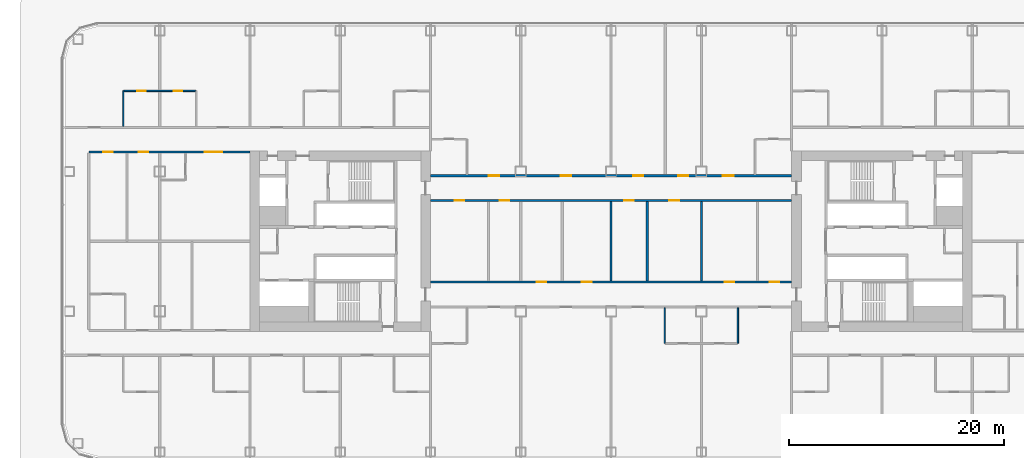
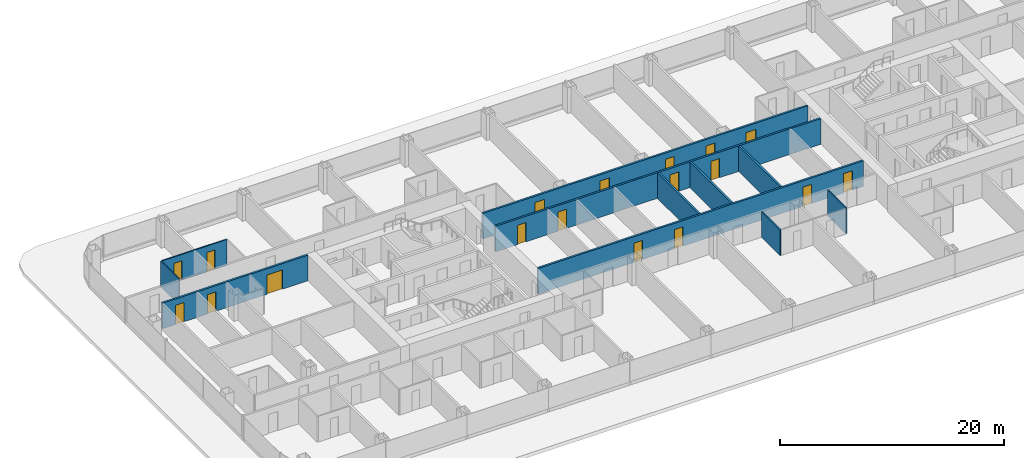
# One storey, part 23 of 42: 18 doors, 11 walls, 18 openings.
"""IFC4 building model written with IfcOpenShell, lengths in metres."""

import ifcopenshell
import ifcopenshell.guid

model = None  # the IFC model being written
_history = None  # IfcOwnerHistory: only IFC2X3 demands one
_inside = {}  # id of a spatial element -> (the spatial element, [elements in it])
_under = {}  # id of a project, library or spatial element -> (it, [spatial elements below it])
_declared = {}  # id of a project -> (the project, [libraries it declares])
_typed = {}  # id of a type object -> (the type object, [elements of that type])
_made_of = {}  # id of a material, layer set ... -> (it, [elements and type objects made of it])


def new_model(schema):
    """Start an empty IFC model of exactly this schema.

    Asked for "IFC4X3", IfcOpenShell would pick the latest addendum, in which some entities
    have other attributes; the version numbers below select the first issue.
    IFC2X3 requires an IfcOwnerHistory on every rooted entity: one is made here for all.
    """
    global model, _history
    if schema == "IFC4X3":
        model = ifcopenshell.file(schema_version=(4, 3, 0, 0))
    else:
        model = ifcopenshell.file(schema=schema)
    _inside.clear()
    _under.clear()
    _declared.clear()
    _typed.clear()
    _made_of.clear()
    _history = None
    if model.schema == "IFC2X3":
        org = make("IfcOrganization", Name="unknown")
        user = make(
            "IfcPersonAndOrganization",
            ThePerson=make("IfcPerson", FamilyName="unknown"),
            TheOrganization=org,
        )
        app = make(
            "IfcApplication",
            ApplicationDeveloper=org,
            Version="unknown",
            ApplicationFullName="unknown",
            ApplicationIdentifier="unknown",
        )
        _history = make(
            "IfcOwnerHistory",
            OwningUser=user,
            OwningApplication=app,
            ChangeAction="ADDED",
            CreationDate=0,
        )
    return model


def make(cls, **values):
    """One entity of the class cls with the attributes given. An attribute that is None is left unset."""
    return model.create_entity(
        cls, **{name: value for name, value in values.items() if value is not None}
    )


def rooted(cls, **values):
    """An entity with a GlobalId (a new one), such as an element, a storey or a relation."""
    return make(cls, GlobalId=ifcopenshell.guid.new(), OwnerHistory=_history, **values)


def si_unit(unit_type, name, prefix=None):
    """IfcSIUnit, for example si_unit("LENGTHUNIT", "METRE", prefix="MILLI")."""
    return make("IfcSIUnit", UnitType=unit_type, Prefix=prefix, Name=name)


def assignment(units):
    """IfcUnitAssignment: the units of a project."""
    return None if units is None else make("IfcUnitAssignment", Units=units)


def point(xyz):
    """IfcCartesianPoint."""
    return None if xyz is None else make("IfcCartesianPoint", Coordinates=xyz)


def direction(xyz):
    """IfcDirection."""
    return None if xyz is None else make("IfcDirection", DirectionRatios=xyz)


def frame(location, z_axis=None, x_axis=None):
    """IfcAxis2Placement3D, a coordinate frame: its origin and axes. An axis left out is left unset."""
    return make(
        "IfcAxis2Placement3D",
        Location=point(location),
        Axis=direction(z_axis),
        RefDirection=direction(x_axis),
    )


def frame_2d(location, x_axis=None):
    """IfcAxis2Placement2D, a coordinate frame in the plane: its origin and x axis."""
    return make(
        "IfcAxis2Placement2D", Location=point(location), RefDirection=direction(x_axis)
    )


def origin():
    """The frame at (0, 0, 0) with its axes left unset."""
    return frame((0.0, 0.0, 0.0))


def place(relative_to, where):
    """IfcLocalPlacement: puts the frame where relative to a parent placement (None: the world)."""
    return make(
        "IfcLocalPlacement", PlacementRelTo=relative_to, RelativePlacement=where
    )


def context(
    kind, dimensions, precision=None, world=None, true_north=None, identifier=None
):
    """IfcGeometricRepresentationContext, for example the 3D "Model" context."""
    return make(
        "IfcGeometricRepresentationContext",
        ContextIdentifier=identifier,
        ContextType=kind,
        CoordinateSpaceDimension=dimensions,
        Precision=precision,
        WorldCoordinateSystem=world,
        TrueNorth=true_north,
    )


def subcontext(parent, identifier, kind, view, scale=None):
    """IfcGeometricRepresentationSubContext, for example "Body" below "Model"."""
    return make(
        "IfcGeometricRepresentationSubContext",
        ContextIdentifier=identifier,
        ContextType=kind,
        ParentContext=parent,
        TargetScale=scale,
        TargetView=view,
    )


def project(units=None, contexts=None):
    """IfcProject with its units and contexts."""
    return rooted(
        "IfcProject",
        Name="project",
        RepresentationContexts=contexts,
        UnitsInContext=assignment(units),
    )


def spatial(cls, under=None, at=None, **own):
    """A site, building, storey or space (cls), placed at a placement, below another one or the project."""
    s = rooted(cls, ObjectPlacement=at, **own)
    if under is not None:
        _under.setdefault(under.id(), (under, []))[1].append(s)
    return s


def profile(cls, at=None, kind="AREA", **sizes):
    """A parametric profile (cls). Its sizes go by their IFC names, for example OverallWidth=200.0."""
    return make(cls, ProfileType=kind, Position=at, **sizes)


def rectangle(**sizes):
    """IfcRectangleProfileDef."""
    return profile("IfcRectangleProfileDef", **sizes)


def extrude(swept, where, along, depth):
    """IfcExtrudedAreaSolid: the profile swept, set in the frame where, extruded along a direction by depth."""
    return make(
        "IfcExtrudedAreaSolid",
        SweptArea=swept,
        Position=where,
        ExtrudedDirection=direction(along),
        Depth=depth,
    )


def shape(context_of_items, identifier, shape_type, items):
    """IfcShapeRepresentation: the items that make up one representation, for example the "Body"."""
    return make(
        "IfcShapeRepresentation",
        ContextOfItems=context_of_items,
        RepresentationIdentifier=identifier,
        RepresentationType=shape_type,
        Items=items,
    )


def material(Name=None, Category=None):
    """IfcMaterial."""
    return make("IfcMaterial", Name=Name, Category=Category)


def layer(
    of_material, thickness, ventilated=None, Name=None, Category=None, Priority=None
):
    """IfcMaterialLayer: one layer of a wall or slab, of a material (None: an air gap)."""
    return make(
        "IfcMaterialLayer",
        Material=of_material,
        LayerThickness=thickness,
        IsVentilated=ventilated,
        Name=Name,
        Category=Category,
        Priority=Priority,
    )


def layer_set(layers, Name=None):
    """IfcMaterialLayerSet."""
    return make("IfcMaterialLayerSet", MaterialLayers=layers, LayerSetName=Name)


def made_of(thing, what):
    """Note that an element or type object is made of a material, layer set ...; save() writes the relation."""
    if what is not None:
        _made_of.setdefault(what.id(), (what, []))[1].append(thing)
    return thing


def type_object(cls, material=None, **own):
    """A type object (cls), such as IfcWallType, which elements share."""
    return made_of(rooted(cls, **own), material)


def element(
    cls,
    number,
    at=None,
    inside=None,
    cuts=None,
    type_object=None,
    material=None,
    context=None,
    identifier="Body",
    shape_type=None,
    held_by="IfcProductDefinitionShape",
    body=None,
    shapes=None,
    **own,
):
    """One element of the class cls, such as IfcWall. Its Tag is "e" and its number.

    at: its placement. inside: the storey or other place that contains it. cuts: it is an
    opening in that element (IfcRelVoidsElement). A single representation is given by context,
    identifier, shape_type and body (its items); several are given by shapes. held_by: the class
    of the entity that holds the representations. save() writes the other relations.
    """
    e = rooted(cls, Tag="e%d" % number, ObjectPlacement=at, **own)
    if body is not None:
        shapes = [shape(context, identifier, shape_type, body)]
    if shapes is not None:
        e.Representation = make(held_by, Representations=shapes)
    if inside is not None:
        _inside.setdefault(inside.id(), (inside, []))[1].append(e)
    if cuts is not None:
        rooted(
            "IfcRelVoidsElement", RelatingBuildingElement=cuts, RelatedOpeningElement=e
        )
    if type_object is not None:
        _typed.setdefault(type_object.id(), (type_object, []))[1].append(e)
    return made_of(e, material)


def fill(opening, filler):
    """IfcRelFillsElement: the door or window that sits in an opening."""
    return rooted(
        "IfcRelFillsElement",
        RelatingOpeningElement=opening,
        RelatedBuildingElement=filler,
    )


def aggregate(whole, parts):
    """IfcRelAggregates: a whole, such as a stair, and the parts it consists of."""
    return rooted("IfcRelAggregates", RelatingObject=whole, RelatedObjects=parts)


def save(model, path):
    """Write the relations noted so far, then the file.

    IfcRelAggregates (storeys below a building ...), IfcRelContainedInSpatialStructure (elements
    in a storey), IfcRelDefinesByType, IfcRelAssociatesMaterial and IfcRelDeclares: one each for
    every whole, place, type object, material and project.
    """
    for whole, parts in _under.values():
        aggregate(whole, parts)
    for where, things in _inside.values():
        rooted(
            "IfcRelContainedInSpatialStructure",
            RelatedElements=things,
            RelatingStructure=where,
        )
    for kind, things in _typed.values():
        rooted("IfcRelDefinesByType", RelatedObjects=things, RelatingType=kind)
    for what, things in _made_of.values():
        rooted("IfcRelAssociatesMaterial", RelatedObjects=things, RelatingMaterial=what)
    for by, libraries in _declared.values():
        rooted("IfcRelDeclares", RelatingContext=by, RelatedDefinitions=libraries)
    model.write(path)


model = new_model("IFC4")

# Units and contexts
model_context = context("Model", 3, precision=1e-05, world=origin(), true_north=direction((0.0, 1.0)))
body_context = subcontext(model_context, "Body", "Model", "MODEL_VIEW")
ifc_project = project(units=[si_unit("LENGTHUNIT", "METRE"), si_unit("AREAUNIT", "SQUARE_METRE"), si_unit("VOLUMEUNIT", "CUBIC_METRE"), si_unit("PLANEANGLEUNIT", "RADIAN"), si_unit("MASSUNIT", "GRAM", prefix="KILO")], contexts=[model_context])

# Site, building, storey
site_placement = place(None, origin())
site = spatial("IfcSite", under=ifc_project, at=site_placement, CompositionType="ELEMENT")
building_placement = place(site_placement, origin())
building = spatial("IfcBuilding", under=site, at=building_placement, Name="Hakoniwa Tower and Hamabe Station Hall", CompositionType="ELEMENT")
storey_placement = place(building_placement, frame((0.0, 0.0, 19.800048828125)))
storey = spatial("IfcBuildingStorey", under=building, at=storey_placement, Name="L04", CompositionType="ELEMENT", Elevation=19.800048828125)

# Wall, openings, doors
ifc_material_1 = material(Name="Gypsum board partition", Category="gypsum")
ifc_layer_1 = layer(ifc_material_1, 0.125)
ifc_layer_set_1 = layer_set([ifc_layer_1], Name="Bathroom Partition 125")
wall_type_1 = type_object("IfcWallType", Name="Bathroom Partition 125", PredefinedType="PARTITIONING", material=ifc_layer_set_1)
wall_1_placement = place(storey_placement, frame((-45.33740234375, 14.0, 0.0), z_axis=(0.0, 0.0, 1.0), x_axis=(1.0, 0.0, 0.0)))
wall_1 = element("IfcWall", 1, at=wall_1_placement, inside=storey, type_object=wall_type_1, Name="GW-L04-030", PredefinedType="PARTITIONING", context=body_context, shape_type="SweptSolid", body=[
    extrude(rectangle(XDim=6.6748046875, YDim=0.125, at=frame_2d((3.33740234375, 0.0))), origin(), (0.0, 0.0, 1.0), 2.800048828125),
])
opening_1_placement = place(wall_1_placement, frame((1.237548828125, 0.0, 0.0)))
opening_1 = element("IfcOpeningElement", 2, at=opening_1_placement, cuts=wall_1, Name="Opening GD-G1A0-60", PredefinedType="OPENING", context=body_context, shape_type="SweptSolid", body=[
    extrude(rectangle(XDim=0.800048828125, YDim=2.10009765625, at=frame_2d((0.39990234375, 1.050048828125))), frame((0.0, 0.072509765625, 0.0), z_axis=(0.0, -1.0, 0.0), x_axis=(1.0, 0.0, 0.0)), (0.0, 0.0, 1.0), 0.14501953125),
])
opening_2_placement = place(wall_1_placement, frame((4.637451171875, 0.0, 0.0)))
opening_2 = element("IfcOpeningElement", 3, at=opening_2_placement, cuts=wall_1, Name="Opening GD-G1A0-61", PredefinedType="OPENING", context=body_context, shape_type="SweptSolid", body=[
    extrude(rectangle(XDim=0.800048828125, YDim=2.10009765625, at=frame_2d((0.39990234375, 1.050048828125))), frame((0.0, 0.072509765625, 0.0), z_axis=(0.0, -1.0, 0.0), x_axis=(1.0, 0.0, 0.0)), (0.0, 0.0, 1.0), 0.14501953125),
])
ifc_material_2 = material(Name="Timber door leaf", Category="wood")
door_type_1 = type_object("IfcDoorType", Name="Bathroom Door 800", OperationType="SINGLE_SWING_LEFT", PredefinedType="DOOR", material=ifc_material_2)
door_1_placement = place(opening_1_placement, origin())
door_1 = element("IfcDoor", 4, at=door_1_placement, inside=storey, type_object=door_type_1, Name="Door GD-G1A0-60", OperationType="SINGLE_SWING_LEFT", OverallHeight=2.10009765625, OverallWidth=0.800048828125, PredefinedType="DOOR", context=body_context, shape_type="SweptSolid", body=[
    extrude(rectangle(XDim=0.800048828125, YDim=2.10009765625, at=frame_2d((0.39990234375, 1.050048828125))), frame((0.0, 0.02490234375, 0.0), z_axis=(0.0, -1.0, 0.0), x_axis=(1.0, 0.0, 0.0)), (0.0, 0.0, 1.0), 0.050048828125),
])
fill(opening_1, door_1)
door_2_placement = place(opening_2_placement, origin())
door_2 = element("IfcDoor", 5, at=door_2_placement, inside=storey, type_object=door_type_1, Name="Door GD-G1A0-61", OperationType="SINGLE_SWING_RIGHT", OverallHeight=2.10009765625, OverallWidth=0.800048828125, PredefinedType="DOOR", context=body_context, shape_type="SweptSolid", body=[
    extrude(rectangle(XDim=0.800048828125, YDim=2.10009765625, at=frame_2d((0.39990234375, 1.050048828125))), frame((0.0, 0.02490234375, 0.0), z_axis=(0.0, -1.0, 0.0), x_axis=(1.0, 0.0, 0.0)), (0.0, 0.0, 1.0), 0.050048828125),
])
fill(opening_2, door_2)

# Walls
for number, where, z_axis, x_axis, name in (
    (6, (-45.39990234375, 10.699951171875, 0.0), (0.0, 0.0, 1.0), (0.0, 1.0, 0.0), "GW-L04-038"),
    (7, (5.0, -9.5, 0.0), (0.0, 0.0, 1.0), (0.0, 1.0, 0.0), "GW-L04-069"),
    (8, (11.800048828125, -9.5, 0.0), (0.0, 0.0, 1.0), (0.0, 1.0, 0.0), "GW-L04-074"),
):
    element("IfcWall", number, at=place(storey_placement, frame(where, z_axis=z_axis, x_axis=x_axis)), inside=storey, type_object=wall_type_1, Name=name, PredefinedType="PARTITIONING", context=body_context, shape_type="SweptSolid", body=[
        extrude(rectangle(XDim=3.300048828125, YDim=0.125, at=frame_2d((1.64990234375, 0.0))), origin(), (0.0, 0.0, 1.0), 2.800048828125),
    ])

# Wall, openings, doors
ifc_material_3 = material(Name="Fire-rated gypsum board partition", Category="gypsum")
ifc_layer_2 = layer(ifc_material_3, 0.199951171875)
ifc_layer_set_2 = layer_set([ifc_layer_2], Name="Corridor Wall 200")
wall_type_2 = type_object("IfcWallType", Name="Corridor Wall 200", PredefinedType="PARTITIONING", material=ifc_layer_set_2)
wall_2_placement = place(storey_placement, frame((-16.800048828125, -3.800048828125, 0.0), z_axis=(0.0, 0.0, 1.0), x_axis=(1.0, 0.0, 0.0)))
wall_2 = element("IfcWall", 9, at=wall_2_placement, inside=storey, type_object=wall_type_2, Name="GW-L04-018", PredefinedType="PARTITIONING", context=body_context, shape_type="SweptSolid", body=[
    extrude(rectangle(XDim=33.60009765625, YDim=0.199951171875, at=frame_2d((16.800048828125, 0.0))), origin(), (0.0, 0.0, 1.0), 2.800048828125),
])
opening_3_placement = place(wall_2_placement, frame((9.8798828125, 0.0, 0.0)))
opening_3 = element("IfcOpeningElement", 10, at=opening_3_placement, cuts=wall_2, Name="Opening GD-G1A0-32", PredefinedType="OPENING", context=body_context, shape_type="SweptSolid", body=[
    extrude(rectangle(XDim=0.89990234375, YDim=2.10009765625, at=frame_2d((0.449951171875, 1.050048828125))), frame((0.0, 0.10986328125, 0.0), z_axis=(0.0, -1.0, 0.0), x_axis=(1.0, 0.0, 0.0)), (0.0, 0.0, 1.0), 0.219970703125),
])
opening_4_placement = place(wall_2_placement, frame((14.080078125, 0.0, 0.0)))
opening_4 = element("IfcOpeningElement", 11, at=opening_4_placement, cuts=wall_2, Name="Opening GD-G1A0-33", PredefinedType="OPENING", context=body_context, shape_type="SweptSolid", body=[
    extrude(rectangle(XDim=0.89990234375, YDim=2.10009765625, at=frame_2d((0.449951171875, 1.050048828125))), frame((0.0, 0.10986328125, 0.0), z_axis=(0.0, -1.0, 0.0), x_axis=(1.0, 0.0, 0.0)), (0.0, 0.0, 1.0), 0.219970703125),
])
opening_5_placement = place(wall_2_placement, frame((27.35498046875, 0.0, 0.0)))
opening_5 = element("IfcOpeningElement", 12, at=opening_5_placement, cuts=wall_2, Name="Opening GD-G1A0-34", PredefinedType="OPENING", context=body_context, shape_type="SweptSolid", body=[
    extrude(rectangle(XDim=0.89990234375, YDim=2.10009765625, at=frame_2d((0.449951171875, 1.050048828125))), frame((0.0, 0.10986328125, 0.0), z_axis=(0.0, -1.0, 0.0), x_axis=(1.0, 0.0, 0.0)), (0.0, 0.0, 1.0), 0.219970703125),
])
opening_6_placement = place(wall_2_placement, frame((31.554931640625, 0.0, 0.0)))
opening_6 = element("IfcOpeningElement", 13, at=opening_6_placement, cuts=wall_2, Name="Opening GD-G1A0-35", PredefinedType="OPENING", context=body_context, shape_type="SweptSolid", body=[
    extrude(rectangle(XDim=0.89990234375, YDim=2.10009765625, at=frame_2d((0.449951171875, 1.050048828125))), frame((0.0, 0.10986328125, 0.0), z_axis=(0.0, -1.0, 0.0), x_axis=(1.0, 0.0, 0.0)), (0.0, 0.0, 1.0), 0.219970703125),
])
ifc_material_4 = material(Name="Timber door leaf", Category="wood")
door_type_2 = type_object("IfcDoorType", Name="Service Door 900", OperationType="SINGLE_SWING_LEFT", PredefinedType="DOOR", material=ifc_material_4)
door_3_placement = place(opening_3_placement, origin())
door_3 = element("IfcDoor", 14, at=door_3_placement, inside=storey, type_object=door_type_2, Name="Door GD-G1A0-32", OperationType="SINGLE_SWING_LEFT", OverallHeight=2.10009765625, OverallWidth=0.89990234375, PredefinedType="DOOR", context=body_context, shape_type="SweptSolid", body=[
    extrude(rectangle(XDim=0.89990234375, YDim=2.10009765625, at=frame_2d((0.449951171875, 1.050048828125))), frame((0.0, 0.02490234375, 0.0), z_axis=(0.0, -1.0, 0.0), x_axis=(1.0, 0.0, 0.0)), (0.0, 0.0, 1.0), 0.050048828125),
])
fill(opening_3, door_3)
door_4_placement = place(opening_4_placement, origin())
door_4 = element("IfcDoor", 15, at=door_4_placement, inside=storey, type_object=door_type_2, Name="Door GD-G1A0-33", OperationType="SINGLE_SWING_RIGHT", OverallHeight=2.10009765625, OverallWidth=0.89990234375, PredefinedType="DOOR", context=body_context, shape_type="SweptSolid", body=[
    extrude(rectangle(XDim=0.89990234375, YDim=2.10009765625, at=frame_2d((0.449951171875, 1.050048828125))), frame((0.0, 0.02490234375, 0.0), z_axis=(0.0, -1.0, 0.0), x_axis=(1.0, 0.0, 0.0)), (0.0, 0.0, 1.0), 0.050048828125),
])
fill(opening_4, door_4)
door_5_placement = place(opening_5_placement, origin())
door_5 = element("IfcDoor", 16, at=door_5_placement, inside=storey, type_object=door_type_2, Name="Door GD-G1A0-34", OperationType="SINGLE_SWING_LEFT", OverallHeight=2.10009765625, OverallWidth=0.89990234375, PredefinedType="DOOR", context=body_context, shape_type="SweptSolid", body=[
    extrude(rectangle(XDim=0.89990234375, YDim=2.10009765625, at=frame_2d((0.449951171875, 1.050048828125))), frame((0.0, 0.02490234375, 0.0), z_axis=(0.0, -1.0, 0.0), x_axis=(1.0, 0.0, 0.0)), (0.0, 0.0, 1.0), 0.050048828125),
])
fill(opening_5, door_5)
door_6_placement = place(opening_6_placement, origin())
door_6 = element("IfcDoor", 17, at=door_6_placement, inside=storey, type_object=door_type_2, Name="Door GD-G1A0-35", OperationType="SINGLE_SWING_RIGHT", OverallHeight=2.10009765625, OverallWidth=0.89990234375, PredefinedType="DOOR", context=body_context, shape_type="SweptSolid", body=[
    extrude(rectangle(XDim=0.89990234375, YDim=2.10009765625, at=frame_2d((0.449951171875, 1.050048828125))), frame((0.0, 0.02490234375, 0.0), z_axis=(0.0, -1.0, 0.0), x_axis=(1.0, 0.0, 0.0)), (0.0, 0.0, 1.0), 0.050048828125),
])
fill(opening_6, door_6)

wall_3_placement = place(storey_placement, frame((-16.800048828125, 3.800048828125, 0.0), z_axis=(0.0, 0.0, 1.0), x_axis=(1.0, 0.0, 0.0)))
wall_3 = element("IfcWall", 18, at=wall_3_placement, inside=storey, type_object=wall_type_2, Name="GW-L04-021", PredefinedType="PARTITIONING", context=body_context, shape_type="SweptSolid", body=[
    extrude(rectangle(XDim=33.60009765625, YDim=0.199951171875, at=frame_2d((16.800048828125, 0.0))), origin(), (0.0, 0.0, 1.0), 2.800048828125),
])
opening_7_placement = place(wall_3_placement, frame((2.239990234375, 0.0, 0.0)))
opening_7 = element("IfcOpeningElement", 19, at=opening_7_placement, cuts=wall_3, Name="Opening GD-G1A0-36", PredefinedType="OPENING", context=body_context, shape_type="SweptSolid", body=[
    extrude(rectangle(XDim=0.89990234375, YDim=2.10009765625, at=frame_2d((0.449951171875, 1.050048828125))), frame((0.0, 0.10986328125, 0.0), z_axis=(0.0, -1.0, 0.0), x_axis=(1.0, 0.0, 0.0)), (0.0, 0.0, 1.0), 0.219970703125),
])
opening_8_placement = place(wall_3_placement, frame((6.43994140625, 0.0, 0.0)))
opening_8 = element("IfcOpeningElement", 20, at=opening_8_placement, cuts=wall_3, Name="Opening GD-G1A0-37", PredefinedType="OPENING", context=body_context, shape_type="SweptSolid", body=[
    extrude(rectangle(XDim=0.89990234375, YDim=2.10009765625, at=frame_2d((0.449951171875, 1.050048828125))), frame((0.0, 0.10986328125, 0.0), z_axis=(0.0, -1.0, 0.0), x_axis=(1.0, 0.0, 0.0)), (0.0, 0.0, 1.0), 0.219970703125),
])
opening_9_placement = place(wall_3_placement, frame((18.030029296875, 0.0, 0.0)))
opening_9 = element("IfcOpeningElement", 21, at=opening_9_placement, cuts=wall_3, Name="Opening GD-G1A0-38", PredefinedType="OPENING", context=body_context, shape_type="SweptSolid", body=[
    extrude(rectangle(XDim=0.89990234375, YDim=2.10009765625, at=frame_2d((0.449951171875, 1.050048828125))), frame((0.0, 0.10986328125, 0.0), z_axis=(0.0, -1.0, 0.0), x_axis=(1.0, 0.0, 0.0)), (0.0, 0.0, 1.0), 0.219970703125),
])
opening_10_placement = place(wall_3_placement, frame((22.22998046875, 0.0, 0.0)))
opening_10 = element("IfcOpeningElement", 22, at=opening_10_placement, cuts=wall_3, Name="Opening GD-G1A0-39", PredefinedType="OPENING", context=body_context, shape_type="SweptSolid", body=[
    extrude(rectangle(XDim=0.89990234375, YDim=2.10009765625, at=frame_2d((0.449951171875, 1.050048828125))), frame((0.0, 0.10986328125, 0.0), z_axis=(0.0, -1.0, 0.0), x_axis=(1.0, 0.0, 0.0)), (0.0, 0.0, 1.0), 0.219970703125),
])
door_7_placement = place(opening_7_placement, origin())
door_7 = element("IfcDoor", 23, at=door_7_placement, inside=storey, type_object=door_type_2, Name="Door GD-G1A0-36", OperationType="SINGLE_SWING_RIGHT", OverallHeight=2.10009765625, OverallWidth=0.89990234375, PredefinedType="DOOR", context=body_context, shape_type="SweptSolid", body=[
    extrude(rectangle(XDim=0.89990234375, YDim=2.10009765625, at=frame_2d((0.449951171875, 1.050048828125))), frame((0.0, 0.02490234375, 0.0), z_axis=(0.0, -1.0, 0.0), x_axis=(1.0, 0.0, 0.0)), (0.0, 0.0, 1.0), 0.050048828125),
])
fill(opening_7, door_7)
door_8_placement = place(opening_8_placement, origin())
door_8 = element("IfcDoor", 24, at=door_8_placement, inside=storey, type_object=door_type_2, Name="Door GD-G1A0-37", OperationType="SINGLE_SWING_LEFT", OverallHeight=2.10009765625, OverallWidth=0.89990234375, PredefinedType="DOOR", context=body_context, shape_type="SweptSolid", body=[
    extrude(rectangle(XDim=0.89990234375, YDim=2.10009765625, at=frame_2d((0.449951171875, 1.050048828125))), frame((0.0, 0.02490234375, 0.0), z_axis=(0.0, -1.0, 0.0), x_axis=(1.0, 0.0, 0.0)), (0.0, 0.0, 1.0), 0.050048828125),
])
fill(opening_8, door_8)
door_9_placement = place(opening_9_placement, origin())
door_9 = element("IfcDoor", 25, at=door_9_placement, inside=storey, type_object=door_type_2, Name="Door GD-G1A0-38", OperationType="SINGLE_SWING_RIGHT", OverallHeight=2.10009765625, OverallWidth=0.89990234375, PredefinedType="DOOR", context=body_context, shape_type="SweptSolid", body=[
    extrude(rectangle(XDim=0.89990234375, YDim=2.10009765625, at=frame_2d((0.449951171875, 1.050048828125))), frame((0.0, 0.02490234375, 0.0), z_axis=(0.0, -1.0, 0.0), x_axis=(1.0, 0.0, 0.0)), (0.0, 0.0, 1.0), 0.050048828125),
])
fill(opening_9, door_9)
door_10_placement = place(opening_10_placement, origin())
door_10 = element("IfcDoor", 26, at=door_10_placement, inside=storey, type_object=door_type_2, Name="Door GD-G1A0-39", OperationType="SINGLE_SWING_LEFT", OverallHeight=2.10009765625, OverallWidth=0.89990234375, PredefinedType="DOOR", context=body_context, shape_type="SweptSolid", body=[
    extrude(rectangle(XDim=0.89990234375, YDim=2.10009765625, at=frame_2d((0.449951171875, 1.050048828125))), frame((0.0, 0.02490234375, 0.0), z_axis=(0.0, -1.0, 0.0), x_axis=(1.0, 0.0, 0.0)), (0.0, 0.0, 1.0), 0.050048828125),
])
fill(opening_10, door_10)

wall_4_placement = place(storey_placement, frame((-16.800048828125, 6.10009765625, 0.0), z_axis=(0.0, 0.0, 1.0), x_axis=(1.0, 0.0, 0.0)))
wall_4 = element("IfcWall", 27, at=wall_4_placement, inside=storey, type_object=wall_type_2, Name="GW-L04-023", PredefinedType="PARTITIONING", context=body_context, shape_type="SweptSolid", body=[
    extrude(rectangle(XDim=33.60009765625, YDim=0.199951171875, at=frame_2d((16.800048828125, 0.0))), origin(), (0.0, 0.0, 1.0), 2.800048828125),
])
opening_11_placement = place(wall_4_placement, frame((5.39990234375, 0.0, 0.0)))
opening_11 = element("IfcOpeningElement", 28, at=opening_11_placement, cuts=wall_4, Name="Opening GD-G1A0-40", PredefinedType="OPENING", context=body_context, shape_type="SweptSolid", body=[
    extrude(rectangle(XDim=1.0, YDim=2.10009765625, at=frame_2d((0.5, 1.050048828125))), frame((0.0, 0.10986328125, 0.0), z_axis=(0.0, -1.0, 0.0), x_axis=(1.0, 0.0, 0.0)), (0.0, 0.0, 1.0), 0.219970703125),
])
opening_12_placement = place(wall_4_placement, frame((12.10009765625, 0.0, 0.0)))
opening_12 = element("IfcOpeningElement", 29, at=opening_12_placement, cuts=wall_4, Name="Opening GD-G1A0-41", PredefinedType="OPENING", context=body_context, shape_type="SweptSolid", body=[
    extrude(rectangle(XDim=1.0, YDim=2.10009765625, at=frame_2d((0.5, 1.050048828125))), frame((0.0, 0.10986328125, 0.0), z_axis=(0.0, -1.0, 0.0), x_axis=(1.0, 0.0, 0.0)), (0.0, 0.0, 1.0), 0.219970703125),
])
opening_13_placement = place(wall_4_placement, frame((18.8701171875, 0.0, 0.0)))
opening_13 = element("IfcOpeningElement", 30, at=opening_13_placement, cuts=wall_4, Name="Opening GD-G1A0-42", PredefinedType="OPENING", context=body_context, shape_type="SweptSolid", body=[
    extrude(rectangle(XDim=0.89990234375, YDim=2.10009765625, at=frame_2d((0.449951171875, 1.050048828125))), frame((0.0, 0.10986328125, 0.0), z_axis=(0.0, -1.0, 0.0), x_axis=(1.0, 0.0, 0.0)), (0.0, 0.0, 1.0), 0.219970703125),
])
opening_14_placement = place(wall_4_placement, frame((23.070068359375, 0.0, 0.0)))
opening_14 = element("IfcOpeningElement", 31, at=opening_14_placement, cuts=wall_4, Name="Opening GD-G1A0-43", PredefinedType="OPENING", context=body_context, shape_type="SweptSolid", body=[
    extrude(rectangle(XDim=0.89990234375, YDim=2.10009765625, at=frame_2d((0.449951171875, 1.050048828125))), frame((0.0, 0.10986328125, 0.0), z_axis=(0.0, -1.0, 0.0), x_axis=(1.0, 0.0, 0.0)), (0.0, 0.0, 1.0), 0.219970703125),
])
opening_15_placement = place(wall_4_placement, frame((27.199951171875, 0.0, 0.0)))
opening_15 = element("IfcOpeningElement", 32, at=opening_15_placement, cuts=wall_4, Name="Opening GD-G1A0-44", PredefinedType="OPENING", context=body_context, shape_type="SweptSolid", body=[
    extrude(rectangle(XDim=1.0, YDim=2.10009765625, at=frame_2d((0.5, 1.050048828125))), frame((0.0, 0.10986328125, 0.0), z_axis=(0.0, -1.0, 0.0), x_axis=(1.0, 0.0, 0.0)), (0.0, 0.0, 1.0), 0.219970703125),
])
ifc_material_5 = material(Name="Timber door leaf", Category="wood")
door_type_3 = type_object("IfcDoorType", Name="Guest Entrance Door 1000", OperationType="SINGLE_SWING_LEFT", PredefinedType="DOOR", material=ifc_material_5)
door_11_placement = place(opening_11_placement, origin())
door_11 = element("IfcDoor", 33, at=door_11_placement, inside=storey, type_object=door_type_3, Name="Door GD-G1A0-40", OperationType="SINGLE_SWING_RIGHT", OverallHeight=2.10009765625, OverallWidth=1.0, PredefinedType="DOOR", context=body_context, shape_type="SweptSolid", body=[
    extrude(rectangle(XDim=1.0, YDim=2.10009765625, at=frame_2d((0.5, 1.050048828125))), frame((0.0, 0.02490234375, 0.0), z_axis=(0.0, -1.0, 0.0), x_axis=(1.0, 0.0, 0.0)), (0.0, 0.0, 1.0), 0.050048828125),
])
fill(opening_11, door_11)
door_12_placement = place(opening_12_placement, origin())
door_12 = element("IfcDoor", 34, at=door_12_placement, inside=storey, type_object=door_type_3, Name="Door GD-G1A0-41", OperationType="SINGLE_SWING_LEFT", OverallHeight=2.10009765625, OverallWidth=1.0, PredefinedType="DOOR", context=body_context, shape_type="SweptSolid", body=[
    extrude(rectangle(XDim=1.0, YDim=2.10009765625, at=frame_2d((0.5, 1.050048828125))), frame((0.0, 0.02490234375, 0.0), z_axis=(0.0, -1.0, 0.0), x_axis=(1.0, 0.0, 0.0)), (0.0, 0.0, 1.0), 0.050048828125),
])
fill(opening_12, door_12)
door_13_placement = place(opening_15_placement, origin())
door_13 = element("IfcDoor", 35, at=door_13_placement, inside=storey, type_object=door_type_3, Name="Door GD-G1A0-44", OperationType="SINGLE_SWING_RIGHT", OverallHeight=2.10009765625, OverallWidth=1.0, PredefinedType="DOOR", context=body_context, shape_type="SweptSolid", body=[
    extrude(rectangle(XDim=1.0, YDim=2.10009765625, at=frame_2d((0.5, 1.050048828125))), frame((0.0, 0.02490234375, 0.0), z_axis=(0.0, -1.0, 0.0), x_axis=(1.0, 0.0, 0.0)), (0.0, 0.0, 1.0), 0.050048828125),
])
fill(opening_15, door_13)
door_14_placement = place(opening_13_placement, origin())
door_14 = element("IfcDoor", 36, at=door_14_placement, inside=storey, type_object=door_type_2, Name="Door GD-G1A0-42", OperationType="SINGLE_SWING_RIGHT", OverallHeight=2.10009765625, OverallWidth=0.89990234375, PredefinedType="DOOR", context=body_context, shape_type="SweptSolid", body=[
    extrude(rectangle(XDim=0.89990234375, YDim=2.10009765625, at=frame_2d((0.449951171875, 1.050048828125))), frame((0.0, 0.02490234375, 0.0), z_axis=(0.0, -1.0, 0.0), x_axis=(1.0, 0.0, 0.0)), (0.0, 0.0, 1.0), 0.050048828125),
])
fill(opening_13, door_14)
door_15_placement = place(opening_14_placement, origin())
door_15 = element("IfcDoor", 37, at=door_15_placement, inside=storey, type_object=door_type_2, Name="Door GD-G1A0-43", OperationType="SINGLE_SWING_RIGHT", OverallHeight=2.10009765625, OverallWidth=0.89990234375, PredefinedType="DOOR", context=body_context, shape_type="SweptSolid", body=[
    extrude(rectangle(XDim=0.89990234375, YDim=2.10009765625, at=frame_2d((0.449951171875, 1.050048828125))), frame((0.0, 0.02490234375, 0.0), z_axis=(0.0, -1.0, 0.0), x_axis=(1.0, 0.0, 0.0)), (0.0, 0.0, 1.0), 0.050048828125),
])
fill(opening_14, door_15)

wall_5_placement = place(storey_placement, frame((-48.60009765625, 8.300048828125, 0.0), z_axis=(0.0, 0.0, 1.0), x_axis=(1.0, 0.0, 0.0)))
wall_5 = element("IfcWall", 38, at=wall_5_placement, inside=storey, type_object=wall_type_2, Name="GW-L04-024", PredefinedType="PARTITIONING", context=body_context, shape_type="SweptSolid", body=[
    extrude(rectangle(XDim=15.0, YDim=0.199951171875, at=frame_2d((7.5, 0.0))), origin(), (0.0, 0.0, 1.0), 2.800048828125),
])
opening_16_placement = place(wall_5_placement, frame((1.330078125, 0.0, 0.0)))
opening_16 = element("IfcOpeningElement", 39, at=opening_16_placement, cuts=wall_5, Name="Opening GD-G1A0-45", PredefinedType="OPENING", context=body_context, shape_type="SweptSolid", body=[
    extrude(rectangle(XDim=0.89990234375, YDim=2.10009765625, at=frame_2d((0.449951171875, 1.050048828125))), frame((0.0, 0.10986328125, 0.0), z_axis=(0.0, -1.0, 0.0), x_axis=(1.0, 0.0, 0.0)), (0.0, 0.0, 1.0), 0.219970703125),
])
opening_17_placement = place(wall_5_placement, frame((4.6298828125, 0.0, 0.0)))
opening_17 = element("IfcOpeningElement", 40, at=opening_17_placement, cuts=wall_5, Name="Opening GD-G1A0-46", PredefinedType="OPENING", context=body_context, shape_type="SweptSolid", body=[
    extrude(rectangle(XDim=0.89990234375, YDim=2.10009765625, at=frame_2d((0.449951171875, 1.050048828125))), frame((0.0, 0.10986328125, 0.0), z_axis=(0.0, -1.0, 0.0), x_axis=(1.0, 0.0, 0.0)), (0.0, 0.0, 1.0), 0.219970703125),
])
opening_18_placement = place(wall_5_placement, frame((10.800048828125, 0.0, 0.0)))
opening_18 = element("IfcOpeningElement", 41, at=opening_18_placement, cuts=wall_5, Name="Opening GD-G1A0-47", PredefinedType="OPENING", context=body_context, shape_type="SweptSolid", body=[
    extrude(rectangle(XDim=1.60009765625, YDim=2.10009765625, at=frame_2d((0.800048828125, 1.050048828125))), frame((0.0, 0.10986328125, 0.0), z_axis=(0.0, -1.0, 0.0), x_axis=(1.0, 0.0, 0.0)), (0.0, 0.0, 1.0), 0.219970703125),
])
ifc_material_6 = material(Name="Timber door leaf", Category="wood")
door_type_4 = type_object("IfcDoorType", Name="Double Door 1600", OperationType="DOUBLE_DOOR_SINGLE_SWING", PredefinedType="DOOR", material=ifc_material_6)
door_16_placement = place(opening_18_placement, origin())
door_16 = element("IfcDoor", 42, at=door_16_placement, inside=storey, type_object=door_type_4, Name="Door GD-G1A0-47", OperationType="DOUBLE_DOOR_SINGLE_SWING", OverallHeight=2.10009765625, OverallWidth=1.60009765625, PredefinedType="DOOR", context=body_context, shape_type="SweptSolid", body=[
    extrude(rectangle(XDim=1.60009765625, YDim=2.10009765625, at=frame_2d((0.800048828125, 1.050048828125))), frame((0.0, 0.02490234375, 0.0), z_axis=(0.0, -1.0, 0.0), x_axis=(1.0, 0.0, 0.0)), (0.0, 0.0, 1.0), 0.050048828125),
])
fill(opening_18, door_16)
door_17_placement = place(opening_16_placement, origin())
door_17 = element("IfcDoor", 43, at=door_17_placement, inside=storey, type_object=door_type_2, Name="Door GD-G1A0-45", OperationType="SINGLE_SWING_RIGHT", OverallHeight=2.10009765625, OverallWidth=0.89990234375, PredefinedType="DOOR", context=body_context, shape_type="SweptSolid", body=[
    extrude(rectangle(XDim=0.89990234375, YDim=2.10009765625, at=frame_2d((0.449951171875, 1.050048828125))), frame((0.0, 0.02490234375, 0.0), z_axis=(0.0, -1.0, 0.0), x_axis=(1.0, 0.0, 0.0)), (0.0, 0.0, 1.0), 0.050048828125),
])
fill(opening_16, door_17)
door_18_placement = place(opening_17_placement, origin())
door_18 = element("IfcDoor", 44, at=door_18_placement, inside=storey, type_object=door_type_2, Name="Door GD-G1A0-46", OperationType="SINGLE_SWING_LEFT", OverallHeight=2.10009765625, OverallWidth=0.89990234375, PredefinedType="DOOR", context=body_context, shape_type="SweptSolid", body=[
    extrude(rectangle(XDim=0.89990234375, YDim=2.10009765625, at=frame_2d((0.449951171875, 1.050048828125))), frame((0.0, 0.02490234375, 0.0), z_axis=(0.0, -1.0, 0.0), x_axis=(1.0, 0.0, 0.0)), (0.0, 0.0, 1.0), 0.050048828125),
])
fill(opening_17, door_18)

# Walls
ifc_material_7 = material(Name="Fire-rated gypsum board partition", Category="gypsum")
ifc_layer_3 = layer(ifc_material_7, 0.199951171875)
ifc_layer_set_3 = layer_set([ifc_layer_3], Name="Party Wall 200")
wall_type_3 = type_object("IfcWallType", Name="Party Wall 200", PredefinedType="PARTITIONING", material=ifc_layer_set_3)
for number, where, z_axis, x_axis, name in (
    (45, (0.0, -3.699951171875, 0.0), (0.0, 0.0, 1.0), (0.0, 1.0, 0.0), "GW-L04-066"),
    (46, (3.360107421875, -3.699951171875, 0.0), (0.0, 0.0, 1.0), (0.0, 1.0, 0.0), "GW-L04-068"),
    (47, (8.39990234375, -3.699951171875, 0.0), (0.0, 0.0, 1.0), (0.0, 1.0, 0.0), "GW-L04-072"),
):
    element("IfcWall", number, at=place(storey_placement, frame(where, z_axis=z_axis, x_axis=x_axis)), inside=storey, type_object=wall_type_3, Name=name, PredefinedType="PARTITIONING", context=body_context, shape_type="SweptSolid", body=[
        extrude(rectangle(XDim=7.39990234375, YDim=0.199951171875, at=frame_2d((3.699951171875, 0.0))), origin(), (0.0, 0.0, 1.0), 2.800048828125),
    ])

save(model, "model.ifc")
